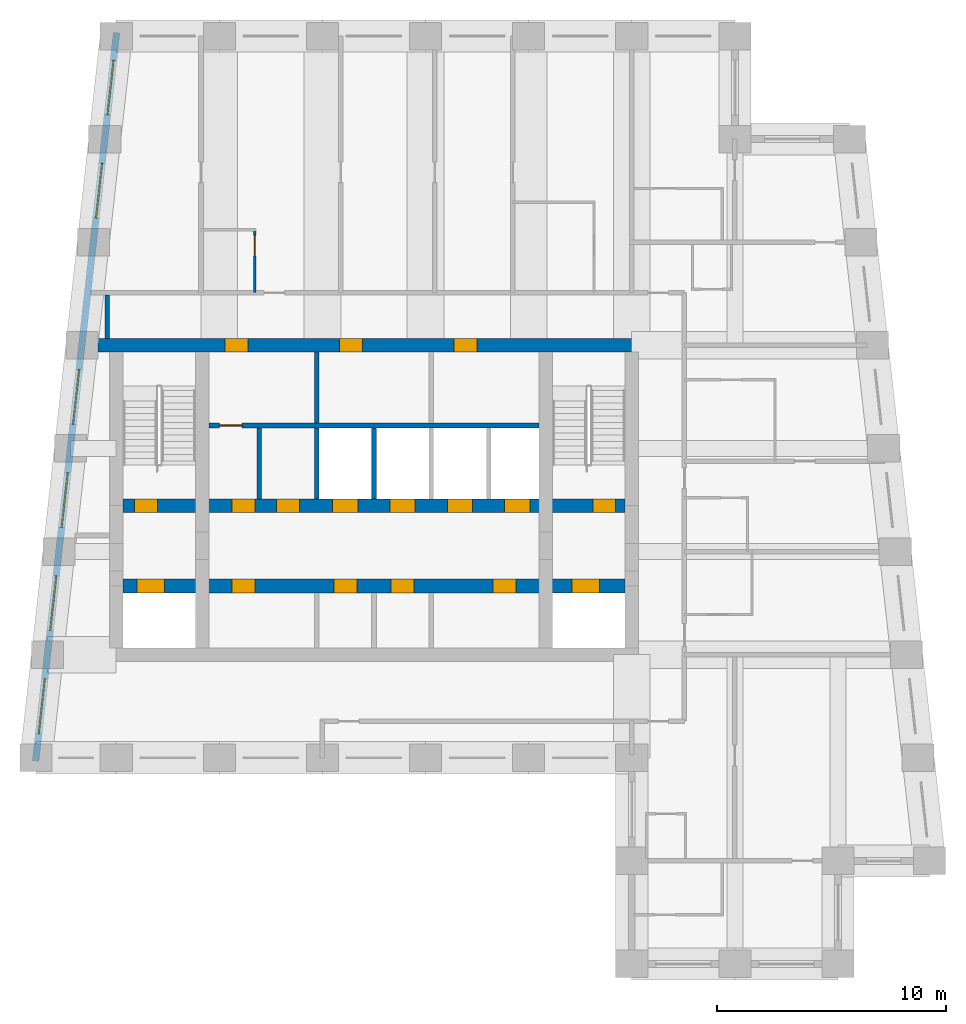
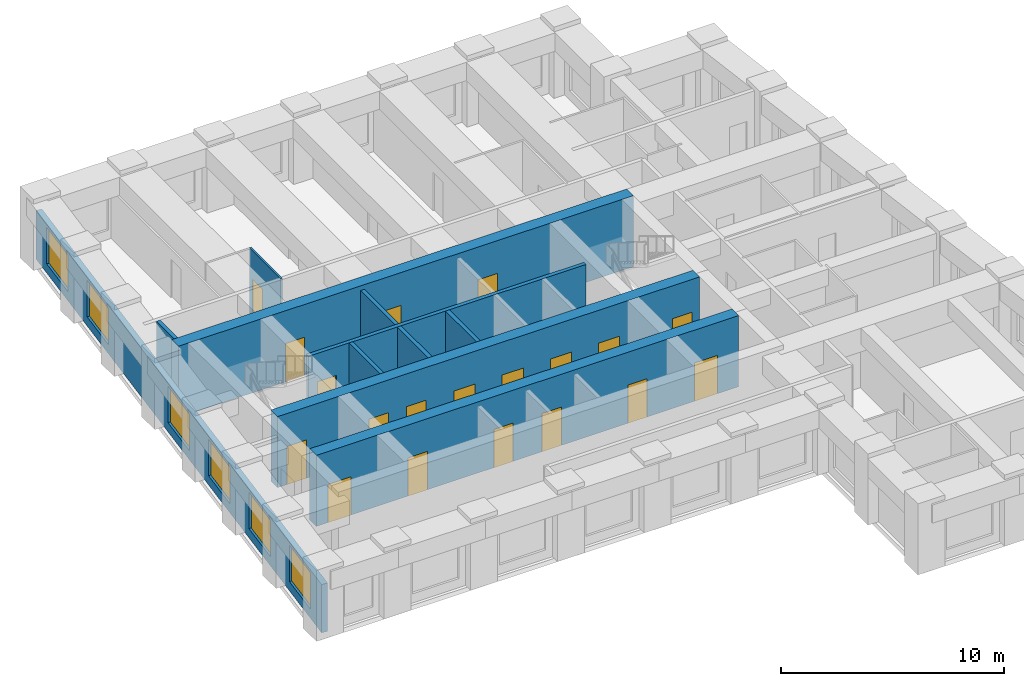
# One storey, part 3 of 7: 19 doors, 11 walls, 6 windows, 25 openings.
"""IFC4 building model written with IfcOpenShell, lengths in metres."""

from ifc_helpers import new_model, si_unit, direction, frame, frame_2d, origin, place, context, subcontext, project, spatial, rectangle, extrude, material, layer, layer_set, type_object, element, fill, save


model = new_model("IFC4")

# Units and contexts
model_context = context("Model", 3, precision=1e-05, world=origin(), true_north=direction((0.0, 1.0)))
body_context = subcontext(model_context, "Body", "Model", "MODEL_VIEW")
ifc_project = project(units=[si_unit("LENGTHUNIT", "METRE"), si_unit("AREAUNIT", "SQUARE_METRE"), si_unit("VOLUMEUNIT", "CUBIC_METRE"), si_unit("PLANEANGLEUNIT", "RADIAN"), si_unit("MASSUNIT", "GRAM", prefix="KILO")], contexts=[model_context])

# Site, building, storey
site_placement = place(None, origin())
site = spatial("IfcSite", under=ifc_project, at=site_placement, CompositionType="ELEMENT")
building_placement = place(site_placement, origin())
building = spatial("IfcBuilding", under=site, at=building_placement, Name="Kilele Tower Hotel", CompositionType="ELEMENT")
storey_placement = place(building_placement, frame((0.0, 0.0, 278.0)))
storey = spatial("IfcBuildingStorey", under=building, at=storey_placement, Name="L71", CompositionType="ELEMENT", Elevation=278.0)

# Wall, opening, door
ifc_material_1 = material(Name="Moisture-resistant board")
ifc_layer_1 = layer(ifc_material_1, 0.10009765625)
ifc_layer_set_1 = layer_set([ifc_layer_1], Name="Moisture-resistant board")
wall_type_1 = type_object("IfcWallType", Name="Bathroom partition 100", PredefinedType="PLUMBINGWALL", material=ifc_layer_set_1)
wall_1_placement = place(storey_placement, frame((19.550048828125, 29.300048828125, 0.0), z_axis=(0.0, 0.0, 1.0), x_axis=(0.0, 1.0, 0.0)))
wall_1 = element("IfcWall", 1, at=wall_1_placement, inside=storey, type_object=wall_type_1, Name="Bathroom partition 100 L71", PredefinedType="PLUMBINGWALL", context=body_context, shape_type="SweptSolid", body=[
    extrude(rectangle(XDim=2.800048828125, YDim=0.10009765625, at=frame_2d((1.39990234375, 0.0))), origin(), (0.0, 0.0, 1.0), 3.64990234375),
])
opening_1_placement = place(wall_1_placement, frame((2.5, 0.0, 0.0), z_axis=(0.0, 0.0, 1.0), x_axis=(-1.0, 0.0, 0.0)))
opening_1 = element("IfcOpeningElement", 2, at=opening_1_placement, cuts=wall_1, Name="Opening D2A", PredefinedType="OPENING", context=body_context, shape_type="SweptSolid", body=[
    extrude(rectangle(XDim=0.89990234375, YDim=2.10009765625, at=frame_2d((0.449951171875, 1.050048828125))), frame((0.0, 0.06005859375, 0.0), z_axis=(0.0, -1.0, 0.0), x_axis=(1.0, 0.0, 0.0)), (0.0, 0.0, 1.0), 0.1201171875),
])
ifc_material_2 = material(Name="Timber door leaf in hardwood frame", Category="wood")
door_type_1 = type_object("IfcDoorType", Name="Bathroom door 900", OperationType="SINGLE_SWING_LEFT", PredefinedType="DOOR", material=ifc_material_2)
door_1_placement = place(opening_1_placement, origin())
door_1 = element("IfcDoor", 3, at=door_1_placement, inside=storey, type_object=door_type_1, Name="Bathroom door 7107B", OperationType="SINGLE_SWING_RIGHT", OverallHeight=2.10009765625, OverallWidth=0.89990234375, PredefinedType="DOOR", context=body_context, shape_type="SweptSolid", body=[
    extrude(rectangle(XDim=0.89990234375, YDim=2.10009765625, at=frame_2d((0.449951171875, 1.050048828125))), frame((0.0, 0.02490234375, 0.0), z_axis=(0.0, -1.0, 0.0), x_axis=(1.0, 0.0, 0.0)), (0.0, 0.0, 1.0), 0.050048828125),
])
fill(opening_1, door_1)

# Wall, openings, doors
ifc_material_3 = material(Name="Concrete C60/75", Category="concrete")
ifc_layer_2 = layer(ifc_material_3, 0.60009765625)
ifc_layer_set_2 = layer_set([ifc_layer_2], Name="Concrete C60/75")
wall_type_2 = type_object("IfcWallType", Name="Core wall 600 C60/75", PredefinedType="SHEAR", material=ifc_layer_set_2)
wall_2_placement = place(storey_placement, frame((36.300048828125, 27.0, 0.0), z_axis=(0.0, 0.0, 1.0), x_axis=(-1.0, 0.0, 0.0)))
wall_2 = element("IfcWall", 4, at=wall_2_placement, inside=storey, type_object=wall_type_2, Name="Core wall N L71", PredefinedType="SHEAR", context=body_context, shape_type="SweptSolid", body=[
    extrude(rectangle(XDim=23.60009765625, YDim=0.60009765625, at=frame_2d((11.800048828125, 0.0))), origin(), (0.0, 0.0, 1.0), 3.89990234375),
])
opening_2_placement = place(wall_2_placement, frame((17.050048828125, 0.0, 0.0)))
opening_2 = element("IfcOpeningElement", 5, at=opening_2_placement, cuts=wall_2, Name="Opening D12", PredefinedType="OPENING", context=body_context, shape_type="SweptSolid", body=[
    extrude(rectangle(XDim=1.0, YDim=2.10009765625, at=frame_2d((0.5, 1.050048828125))), frame((0.0, 0.31005859375, 0.0), z_axis=(0.0, -1.0, 0.0), x_axis=(1.0, 0.0, 0.0)), (0.0, 0.0, 1.0), 0.6201171875),
])
opening_3_placement = place(wall_2_placement, frame((12.050048828125, 0.0, 0.0)))
opening_3 = element("IfcOpeningElement", 6, at=opening_3_placement, cuts=wall_2, Name="Opening D6", PredefinedType="OPENING", context=body_context, shape_type="SweptSolid", body=[
    extrude(rectangle(XDim=1.0, YDim=2.10009765625, at=frame_2d((0.5, 1.050048828125))), frame((0.0, 0.31005859375, 0.0), z_axis=(0.0, -1.0, 0.0), x_axis=(1.0, 0.0, 0.0)), (0.0, 0.0, 1.0), 0.6201171875),
])
opening_4_placement = place(wall_2_placement, frame((7.050048828125, 0.0, 0.0)))
opening_4 = element("IfcOpeningElement", 7, at=opening_4_placement, cuts=wall_2, Name="Opening D6", PredefinedType="OPENING", context=body_context, shape_type="SweptSolid", body=[
    extrude(rectangle(XDim=1.0, YDim=2.10009765625, at=frame_2d((0.5, 1.050048828125))), frame((0.0, 0.31005859375, 0.0), z_axis=(0.0, -1.0, 0.0), x_axis=(1.0, 0.0, 0.0)), (0.0, 0.0, 1.0), 0.6201171875),
])
ifc_material_4 = material(Name="Timber door leaf in hardwood frame", Category="wood")
door_type_2 = type_object("IfcDoorType", Name="Core lobby door 1000", OperationType="SINGLE_SWING_LEFT", PredefinedType="DOOR", material=ifc_material_4)
door_2_placement = place(opening_2_placement, origin())
door_2 = element("IfcDoor", 8, at=door_2_placement, inside=storey, type_object=door_type_2, Name="North lobby door L71", OperationType="SINGLE_SWING_RIGHT", OverallHeight=2.10009765625, OverallWidth=1.0, PredefinedType="DOOR", context=body_context, shape_type="SweptSolid", body=[
    extrude(rectangle(XDim=1.0, YDim=2.10009765625, at=frame_2d((0.5, 1.050048828125))), frame((0.0, 0.2998046875, 0.0), z_axis=(0.0, -1.0, 0.0), x_axis=(1.0, 0.0, 0.0)), (0.0, 0.0, 1.0), 0.599609375),
])
fill(opening_2, door_2)
ifc_material_5 = material(Name="Timber door leaf in hardwood frame", Category="wood")
door_type_3 = type_object("IfcDoorType", Name="Riser door 1000", OperationType="SINGLE_SWING_LEFT", PredefinedType="DOOR", material=ifc_material_5)
door_3_placement = place(opening_3_placement, origin())
door_3 = element("IfcDoor", 9, at=door_3_placement, inside=storey, type_object=door_type_3, Name="Linen store door L71", OperationType="SINGLE_SWING_RIGHT", OverallHeight=2.10009765625, OverallWidth=1.0, PredefinedType="DOOR", context=body_context, shape_type="SweptSolid", body=[
    extrude(rectangle(XDim=1.0, YDim=2.10009765625, at=frame_2d((0.5, 1.050048828125))), frame((0.0, 0.2998046875, 0.0), z_axis=(0.0, -1.0, 0.0), x_axis=(1.0, 0.0, 0.0)), (0.0, 0.0, 1.0), 0.599609375),
])
fill(opening_3, door_3)
door_4_placement = place(opening_4_placement, origin())
door_4 = element("IfcDoor", 10, at=door_4_placement, inside=storey, type_object=door_type_3, Name="Electrical riser door L71", OperationType="SINGLE_SWING_RIGHT", OverallHeight=2.10009765625, OverallWidth=1.0, PredefinedType="DOOR", context=body_context, shape_type="SweptSolid", body=[
    extrude(rectangle(XDim=1.0, YDim=2.10009765625, at=frame_2d((0.5, 1.050048828125))), frame((0.0, 0.2998046875, 0.0), z_axis=(0.0, -1.0, 0.0), x_axis=(1.0, 0.0, 0.0)), (0.0, 0.0, 1.0), 0.599609375),
])
fill(opening_4, door_4)

wall_3_placement = place(storey_placement, frame((13.800048828125, 16.5, 0.0), z_axis=(0.0, 0.0, 1.0), x_axis=(1.0, 0.0, 0.0)))
wall_3 = element("IfcWall", 11, at=wall_3_placement, inside=storey, type_object=wall_type_2, Name="Core wall LS L71", PredefinedType="SHEAR", context=body_context, shape_type="SweptSolid", body=[
    extrude(rectangle(XDim=21.89990234375, YDim=0.60009765625, at=frame_2d((10.949951171875, 0.0))), origin(), (0.0, 0.0, 1.0), 3.89990234375),
])
opening_5_placement = place(wall_3_placement, frame((5.75, 0.0, 0.0), z_axis=(0.0, 0.0, 1.0), x_axis=(-1.0, 0.0, 0.0)))
opening_5 = element("IfcOpeningElement", 12, at=opening_5_placement, cuts=wall_3, Name="Opening D11", PredefinedType="OPENING", context=body_context, shape_type="SweptSolid", body=[
    extrude(rectangle(XDim=1.0, YDim=2.10009765625, at=frame_2d((0.5, 1.050048828125))), frame((0.0, 0.31005859375, 0.0), z_axis=(0.0, -1.0, 0.0), x_axis=(1.0, 0.0, 0.0)), (0.0, 0.0, 1.0), 0.6201171875),
])
opening_6_placement = place(wall_3_placement, frame((10.199951171875, 0.0, 0.0), z_axis=(0.0, 0.0, 1.0), x_axis=(-1.0, 0.0, 0.0)))
opening_6 = element("IfcOpeningElement", 13, at=opening_6_placement, cuts=wall_3, Name="Opening D11", PredefinedType="OPENING", context=body_context, shape_type="SweptSolid", body=[
    extrude(rectangle(XDim=1.0, YDim=2.10009765625, at=frame_2d((0.5, 1.050048828125))), frame((0.0, 0.31005859375, 0.0), z_axis=(0.0, -1.0, 0.0), x_axis=(1.0, 0.0, 0.0)), (0.0, 0.0, 1.0), 0.6201171875),
])
opening_7_placement = place(wall_3_placement, frame((12.699951171875, 0.0, 0.0), z_axis=(0.0, 0.0, 1.0), x_axis=(-1.0, 0.0, 0.0)))
opening_7 = element("IfcOpeningElement", 14, at=opening_7_placement, cuts=wall_3, Name="Opening D11", PredefinedType="OPENING", context=body_context, shape_type="SweptSolid", body=[
    extrude(rectangle(XDim=1.0, YDim=2.10009765625, at=frame_2d((0.5, 1.050048828125))), frame((0.0, 0.31005859375, 0.0), z_axis=(0.0, -1.0, 0.0), x_axis=(1.0, 0.0, 0.0)), (0.0, 0.0, 1.0), 0.6201171875),
])
opening_8_placement = place(wall_3_placement, frame((17.14990234375, 0.0, 0.0), z_axis=(0.0, 0.0, 1.0), x_axis=(-1.0, 0.0, 0.0)))
opening_8 = element("IfcOpeningElement", 15, at=opening_8_placement, cuts=wall_3, Name="Opening D11", PredefinedType="OPENING", context=body_context, shape_type="SweptSolid", body=[
    extrude(rectangle(XDim=1.0, YDim=2.10009765625, at=frame_2d((0.5, 1.050048828125))), frame((0.0, 0.31005859375, 0.0), z_axis=(0.0, -1.0, 0.0), x_axis=(1.0, 0.0, 0.0)), (0.0, 0.0, 1.0), 0.6201171875),
])
opening_9_placement = place(wall_3_placement, frame((0.60009765625, 0.0, 0.0)))
opening_9 = element("IfcOpeningElement", 16, at=opening_9_placement, cuts=wall_3, Name="Opening LD2", PredefinedType="OPENING", context=body_context, shape_type="SweptSolid", body=[
    extrude(rectangle(XDim=1.199951171875, YDim=2.10009765625, at=frame_2d((0.60009765625, 1.050048828125))), frame((0.0, 0.31005859375, 0.0), z_axis=(0.0, -1.0, 0.0), x_axis=(1.0, 0.0, 0.0)), (0.0, 0.0, 1.0), 0.6201171875),
])
opening_10_placement = place(wall_3_placement, frame((19.60009765625, 0.0, 0.0)))
opening_10 = element("IfcOpeningElement", 17, at=opening_10_placement, cuts=wall_3, Name="Opening LD2", PredefinedType="OPENING", context=body_context, shape_type="SweptSolid", body=[
    extrude(rectangle(XDim=1.199951171875, YDim=2.10009765625, at=frame_2d((0.60009765625, 1.050048828125))), frame((0.0, 0.31005859375, 0.0), z_axis=(0.0, -1.0, 0.0), x_axis=(1.0, 0.0, 0.0)), (0.0, 0.0, 1.0), 0.6201171875),
])
ifc_material_6 = material(Name="Timber door leaf in hardwood frame", Category="wood")
door_type_4 = type_object("IfcDoorType", Name="Core store door 1000", OperationType="SINGLE_SWING_LEFT", PredefinedType="DOOR", material=ifc_material_6)
door_5_placement = place(opening_5_placement, origin())
door_5 = element("IfcDoor", 18, at=door_5_placement, inside=storey, type_object=door_type_4, Name="Core room door L1 L71", OperationType="SINGLE_SWING_RIGHT", OverallHeight=2.10009765625, OverallWidth=1.0, PredefinedType="DOOR", context=body_context, shape_type="SweptSolid", body=[
    extrude(rectangle(XDim=1.0, YDim=2.10009765625, at=frame_2d((0.5, 1.050048828125))), frame((0.0, 0.2998046875, 0.0), z_axis=(0.0, -1.0, 0.0), x_axis=(1.0, 0.0, 0.0)), (0.0, 0.0, 1.0), 0.599609375),
])
fill(opening_5, door_5)
door_6_placement = place(opening_6_placement, origin())
door_6 = element("IfcDoor", 19, at=door_6_placement, inside=storey, type_object=door_type_4, Name="Core room door L3 L71", OperationType="SINGLE_SWING_RIGHT", OverallHeight=2.10009765625, OverallWidth=1.0, PredefinedType="DOOR", context=body_context, shape_type="SweptSolid", body=[
    extrude(rectangle(XDim=1.0, YDim=2.10009765625, at=frame_2d((0.5, 1.050048828125))), frame((0.0, 0.2998046875, 0.0), z_axis=(0.0, -1.0, 0.0), x_axis=(1.0, 0.0, 0.0)), (0.0, 0.0, 1.0), 0.599609375),
])
fill(opening_6, door_6)
door_7_placement = place(opening_7_placement, origin())
door_7 = element("IfcDoor", 20, at=door_7_placement, inside=storey, type_object=door_type_4, Name="Core room door M1 L71", OperationType="SINGLE_SWING_LEFT", OverallHeight=2.10009765625, OverallWidth=1.0, PredefinedType="DOOR", context=body_context, shape_type="SweptSolid", body=[
    extrude(rectangle(XDim=1.0, YDim=2.10009765625, at=frame_2d((0.5, 1.050048828125))), frame((0.0, 0.2998046875, 0.0), z_axis=(0.0, -1.0, 0.0), x_axis=(1.0, 0.0, 0.0)), (0.0, 0.0, 1.0), 0.599609375),
])
fill(opening_7, door_7)
door_8_placement = place(opening_8_placement, origin())
door_8 = element("IfcDoor", 21, at=door_8_placement, inside=storey, type_object=door_type_4, Name="Core room door M3 L71", OperationType="SINGLE_SWING_LEFT", OverallHeight=2.10009765625, OverallWidth=1.0, PredefinedType="DOOR", context=body_context, shape_type="SweptSolid", body=[
    extrude(rectangle(XDim=1.0, YDim=2.10009765625, at=frame_2d((0.5, 1.050048828125))), frame((0.0, 0.2998046875, 0.0), z_axis=(0.0, -1.0, 0.0), x_axis=(1.0, 0.0, 0.0)), (0.0, 0.0, 1.0), 0.599609375),
])
fill(opening_8, door_8)
ifc_material_7 = material(Name="Steel lift landing door", Category="steel")
door_type_5 = type_object("IfcDoorType", Name="Firefighting lift landing door 1200", OperationType="SLIDING_TO_LEFT", PredefinedType="DOOR", material=ifc_material_7)
door_9_placement = place(opening_9_placement, origin())
door_9 = element("IfcDoor", 22, at=door_9_placement, inside=storey, type_object=door_type_5, Name="Landing door FFW L71", OperationType="SLIDING_TO_LEFT", OverallHeight=2.10009765625, OverallWidth=1.199951171875, PredefinedType="DOOR", context=body_context, shape_type="SweptSolid", body=[
    extrude(rectangle(XDim=1.199951171875, YDim=2.10009765625, at=frame_2d((0.60009765625, 1.050048828125))), frame((0.0, 0.2998046875, 0.0), z_axis=(0.0, -1.0, 0.0), x_axis=(1.0, 0.0, 0.0)), (0.0, 0.0, 1.0), 0.599609375),
])
fill(opening_9, door_9)
door_10_placement = place(opening_10_placement, origin())
door_10 = element("IfcDoor", 23, at=door_10_placement, inside=storey, type_object=door_type_5, Name="Landing door FFE L71", OperationType="SLIDING_TO_LEFT", OverallHeight=2.10009765625, OverallWidth=1.199951171875, PredefinedType="DOOR", context=body_context, shape_type="SweptSolid", body=[
    extrude(rectangle(XDim=1.199951171875, YDim=2.10009765625, at=frame_2d((0.60009765625, 1.050048828125))), frame((0.0, 0.2998046875, 0.0), z_axis=(0.0, -1.0, 0.0), x_axis=(1.0, 0.0, 0.0)), (0.0, 0.0, 1.0), 0.599609375),
])
fill(opening_10, door_10)

wall_4_placement = place(storey_placement, frame((13.800048828125, 20.0, 0.0), z_axis=(0.0, 0.0, 1.0), x_axis=(1.0, 0.0, 0.0)))
wall_4 = element("IfcWall", 24, at=wall_4_placement, inside=storey, type_object=wall_type_2, Name="Core wall LN L71", PredefinedType="SHEAR", context=body_context, shape_type="SweptSolid", body=[
    extrude(rectangle(XDim=21.89990234375, YDim=0.60009765625, at=frame_2d((10.949951171875, 0.0))), origin(), (0.0, 0.0, 1.0), 3.89990234375),
])
opening_11_placement = place(wall_4_placement, frame((0.5, 0.0, 0.0)))
opening_11 = element("IfcOpeningElement", 25, at=opening_11_placement, cuts=wall_4, Name="Opening D5", PredefinedType="OPENING", context=body_context, shape_type="SweptSolid", body=[
    extrude(rectangle(XDim=1.0, YDim=2.10009765625, at=frame_2d((0.5, 1.050048828125))), frame((0.0, 0.31005859375, 0.0), z_axis=(0.0, -1.0, 0.0), x_axis=(1.0, 0.0, 0.0)), (0.0, 0.0, 1.0), 0.6201171875),
])
opening_12_placement = place(wall_4_placement, frame((20.5, 0.0, 0.0)))
opening_12 = element("IfcOpeningElement", 26, at=opening_12_placement, cuts=wall_4, Name="Opening D5", PredefinedType="OPENING", context=body_context, shape_type="SweptSolid", body=[
    extrude(rectangle(XDim=1.0, YDim=2.10009765625, at=frame_2d((0.5, 1.050048828125))), frame((0.0, 0.31005859375, 0.0), z_axis=(0.0, -1.0, 0.0), x_axis=(1.0, 0.0, 0.0)), (0.0, 0.0, 1.0), 0.6201171875),
])
opening_13_placement = place(wall_4_placement, frame((9.14990234375, 0.0, 0.0)))
opening_13 = element("IfcOpeningElement", 27, at=opening_13_placement, cuts=wall_4, Name="Opening LD1", PredefinedType="OPENING", context=body_context, shape_type="SweptSolid", body=[
    extrude(rectangle(XDim=1.10009765625, YDim=2.10009765625, at=frame_2d((0.550048828125, 1.050048828125))), frame((0.0, 0.31005859375, 0.0), z_axis=(0.0, -1.0, 0.0), x_axis=(1.0, 0.0, 0.0)), (0.0, 0.0, 1.0), 0.6201171875),
])
opening_14_placement = place(wall_4_placement, frame((11.64990234375, 0.0, 0.0)))
opening_14 = element("IfcOpeningElement", 28, at=opening_14_placement, cuts=wall_4, Name="Opening LD1", PredefinedType="OPENING", context=body_context, shape_type="SweptSolid", body=[
    extrude(rectangle(XDim=1.10009765625, YDim=2.10009765625, at=frame_2d((0.550048828125, 1.050048828125))), frame((0.0, 0.31005859375, 0.0), z_axis=(0.0, -1.0, 0.0), x_axis=(1.0, 0.0, 0.0)), (0.0, 0.0, 1.0), 0.6201171875),
])
opening_15_placement = place(wall_4_placement, frame((14.14990234375, 0.0, 0.0)))
opening_15 = element("IfcOpeningElement", 29, at=opening_15_placement, cuts=wall_4, Name="Opening LD1", PredefinedType="OPENING", context=body_context, shape_type="SweptSolid", body=[
    extrude(rectangle(XDim=1.10009765625, YDim=2.10009765625, at=frame_2d((0.550048828125, 1.050048828125))), frame((0.0, 0.31005859375, 0.0), z_axis=(0.0, -1.0, 0.0), x_axis=(1.0, 0.0, 0.0)), (0.0, 0.0, 1.0), 0.6201171875),
])
opening_16_placement = place(wall_4_placement, frame((16.64990234375, 0.0, 0.0)))
opening_16 = element("IfcOpeningElement", 30, at=opening_16_placement, cuts=wall_4, Name="Opening LD1", PredefinedType="OPENING", context=body_context, shape_type="SweptSolid", body=[
    extrude(rectangle(XDim=1.10009765625, YDim=2.10009765625, at=frame_2d((0.550048828125, 1.050048828125))), frame((0.0, 0.31005859375, 0.0), z_axis=(0.0, -1.0, 0.0), x_axis=(1.0, 0.0, 0.0)), (0.0, 0.0, 1.0), 0.6201171875),
])
opening_17_placement = place(wall_4_placement, frame((5.75, 0.0, 0.0), z_axis=(0.0, 0.0, 1.0), x_axis=(-1.0, 0.0, 0.0)))
opening_17 = element("IfcOpeningElement", 31, at=opening_17_placement, cuts=wall_4, Name="Opening D12", PredefinedType="OPENING", context=body_context, shape_type="SweptSolid", body=[
    extrude(rectangle(XDim=1.0, YDim=2.10009765625, at=frame_2d((0.5, 1.050048828125))), frame((0.0, 0.31005859375, 0.0), z_axis=(0.0, -1.0, 0.0), x_axis=(1.0, 0.0, 0.0)), (0.0, 0.0, 1.0), 0.6201171875),
])
opening_18_placement = place(wall_4_placement, frame((6.699951171875, 0.0, 0.0)))
opening_18 = element("IfcOpeningElement", 32, at=opening_18_placement, cuts=wall_4, Name="Opening D11", PredefinedType="OPENING", context=body_context, shape_type="SweptSolid", body=[
    extrude(rectangle(XDim=1.0, YDim=2.10009765625, at=frame_2d((0.5, 1.050048828125))), frame((0.0, 0.31005859375, 0.0), z_axis=(0.0, -1.0, 0.0), x_axis=(1.0, 0.0, 0.0)), (0.0, 0.0, 1.0), 0.6201171875),
])
door_11_placement = place(opening_17_placement, origin())
door_11 = element("IfcDoor", 33, at=door_11_placement, inside=storey, type_object=door_type_2, Name="Core passage door L71", OperationType="SINGLE_SWING_RIGHT", OverallHeight=2.10009765625, OverallWidth=1.0, PredefinedType="DOOR", context=body_context, shape_type="SweptSolid", body=[
    extrude(rectangle(XDim=1.0, YDim=2.10009765625, at=frame_2d((0.5, 1.050048828125))), frame((0.0, 0.2998046875, 0.0), z_axis=(0.0, -1.0, 0.0), x_axis=(1.0, 0.0, 0.0)), (0.0, 0.0, 1.0), 0.599609375),
])
fill(opening_17, door_11)
door_12_placement = place(opening_18_placement, origin())
door_12 = element("IfcDoor", 34, at=door_12_placement, inside=storey, type_object=door_type_4, Name="Core room door S2 L71", OperationType="SINGLE_SWING_LEFT", OverallHeight=2.10009765625, OverallWidth=1.0, PredefinedType="DOOR", context=body_context, shape_type="SweptSolid", body=[
    extrude(rectangle(XDim=1.0, YDim=2.10009765625, at=frame_2d((0.5, 1.050048828125))), frame((0.0, 0.2998046875, 0.0), z_axis=(0.0, -1.0, 0.0), x_axis=(1.0, 0.0, 0.0)), (0.0, 0.0, 1.0), 0.599609375),
])
fill(opening_18, door_12)
ifc_material_8 = material(Name="Steel lift landing door", Category="steel")
door_type_6 = type_object("IfcDoorType", Name="Lift landing door 1100", OperationType="SLIDING_TO_LEFT", PredefinedType="DOOR", material=ifc_material_8)
door_13_placement = place(opening_13_placement, origin())
door_13 = element("IfcDoor", 35, at=door_13_placement, inside=storey, type_object=door_type_6, Name="Landing door H1 L71", OperationType="SLIDING_TO_LEFT", OverallHeight=2.10009765625, OverallWidth=1.10009765625, PredefinedType="DOOR", context=body_context, shape_type="SweptSolid", body=[
    extrude(rectangle(XDim=1.10009765625, YDim=2.10009765625, at=frame_2d((0.550048828125, 1.050048828125))), frame((0.0, 0.2998046875, 0.0), z_axis=(0.0, -1.0, 0.0), x_axis=(1.0, 0.0, 0.0)), (0.0, 0.0, 1.0), 0.599609375),
])
fill(opening_13, door_13)
door_14_placement = place(opening_14_placement, origin())
door_14 = element("IfcDoor", 36, at=door_14_placement, inside=storey, type_object=door_type_6, Name="Landing door H2 L71", OperationType="SLIDING_TO_LEFT", OverallHeight=2.10009765625, OverallWidth=1.10009765625, PredefinedType="DOOR", context=body_context, shape_type="SweptSolid", body=[
    extrude(rectangle(XDim=1.10009765625, YDim=2.10009765625, at=frame_2d((0.550048828125, 1.050048828125))), frame((0.0, 0.2998046875, 0.0), z_axis=(0.0, -1.0, 0.0), x_axis=(1.0, 0.0, 0.0)), (0.0, 0.0, 1.0), 0.599609375),
])
fill(opening_14, door_14)
door_15_placement = place(opening_15_placement, origin())
door_15 = element("IfcDoor", 37, at=door_15_placement, inside=storey, type_object=door_type_6, Name="Landing door H3 L71", OperationType="SLIDING_TO_LEFT", OverallHeight=2.10009765625, OverallWidth=1.10009765625, PredefinedType="DOOR", context=body_context, shape_type="SweptSolid", body=[
    extrude(rectangle(XDim=1.10009765625, YDim=2.10009765625, at=frame_2d((0.550048828125, 1.050048828125))), frame((0.0, 0.2998046875, 0.0), z_axis=(0.0, -1.0, 0.0), x_axis=(1.0, 0.0, 0.0)), (0.0, 0.0, 1.0), 0.599609375),
])
fill(opening_15, door_15)
door_16_placement = place(opening_16_placement, origin())
door_16 = element("IfcDoor", 38, at=door_16_placement, inside=storey, type_object=door_type_6, Name="Landing door G1 L71", OperationType="SLIDING_TO_LEFT", OverallHeight=2.10009765625, OverallWidth=1.10009765625, PredefinedType="DOOR", context=body_context, shape_type="SweptSolid", body=[
    extrude(rectangle(XDim=1.10009765625, YDim=2.10009765625, at=frame_2d((0.550048828125, 1.050048828125))), frame((0.0, 0.2998046875, 0.0), z_axis=(0.0, -1.0, 0.0), x_axis=(1.0, 0.0, 0.0)), (0.0, 0.0, 1.0), 0.599609375),
])
fill(opening_16, door_16)
ifc_material_9 = material(Name="Timber door leaf in hardwood frame", Category="wood")
door_type_7 = type_object("IfcDoorType", Name="Stair door 1000", OperationType="SINGLE_SWING_LEFT", PredefinedType="DOOR", material=ifc_material_9)
door_17_placement = place(opening_11_placement, origin())
door_17 = element("IfcDoor", 39, at=door_17_placement, inside=storey, type_object=door_type_7, Name="Stair 1 door L71", OperationType="SINGLE_SWING_LEFT", OverallHeight=2.10009765625, OverallWidth=1.0, PredefinedType="DOOR", context=body_context, shape_type="SweptSolid", body=[
    extrude(rectangle(XDim=1.0, YDim=2.10009765625, at=frame_2d((0.5, 1.050048828125))), frame((0.0, 0.2998046875, 0.0), z_axis=(0.0, -1.0, 0.0), x_axis=(1.0, 0.0, 0.0)), (0.0, 0.0, 1.0), 0.599609375),
])
fill(opening_11, door_17)
door_18_placement = place(opening_12_placement, origin())
door_18 = element("IfcDoor", 40, at=door_18_placement, inside=storey, type_object=door_type_7, Name="Stair 2 door L71", OperationType="SINGLE_SWING_RIGHT", OverallHeight=2.10009765625, OverallWidth=1.0, PredefinedType="DOOR", context=body_context, shape_type="SweptSolid", body=[
    extrude(rectangle(XDim=1.0, YDim=2.10009765625, at=frame_2d((0.5, 1.050048828125))), frame((0.0, 0.2998046875, 0.0), z_axis=(0.0, -1.0, 0.0), x_axis=(1.0, 0.0, 0.0)), (0.0, 0.0, 1.0), 0.599609375),
])
fill(opening_12, door_18)

# Wall
ifc_material_10 = material(Name="Blockwork, plastered both sides", Category="masonry")
ifc_layer_3 = layer(ifc_material_10, 0.199951171875)
ifc_layer_set_3 = layer_set([ifc_layer_3], Name="Blockwork, plastered both sides")
wall_type_3 = type_object("IfcWallType", Name="Partition wall 200", PredefinedType="PARTITIONING", material=ifc_layer_set_3)
wall_5_placement = place(storey_placement, frame((13.10009765625, 27.300048828125, 0.0), z_axis=(0.0, 0.0, 1.0), x_axis=(0.0, 1.0, 0.0)))
element("IfcWall", 41, at=wall_5_placement, inside=storey, type_object=wall_type_3, Name="Partition wall 200 L71", PredefinedType="PARTITIONING", context=body_context, shape_type="SweptSolid", body=[
    extrude(rectangle(XDim=1.89990234375, YDim=0.199951171875, at=frame_2d((0.949951171875, 0.0))), origin(), (0.0, 0.0, 1.0), 3.64990234375),
])

# Wall, openings, windows
ifc_material_11 = material(Name="Concrete C40/50 precast", Category="concrete")
ifc_layer_4 = layer(ifc_material_11, 0.260009765625, Name="Precast backing", Category="LoadBearing")
ifc_material_12 = material(Name="Reconstituted stone finish", Category="masonry")
ifc_layer_5 = layer(ifc_material_12, 0.0400390625, Name="Face mix", Category="Finish")
ifc_layer_set_4 = layer_set([ifc_layer_4, ifc_layer_5], Name="Precast concrete C40/50, reconstituted stone finish")
wall_type_4 = type_object("IfcWallType", Name="Precast stone facade wall 300", PredefinedType="STANDARD", material=ifc_layer_set_4)
wall_6_placement = place(storey_placement, frame((13.5166015625, 40.649169921875, 0.0), z_axis=(0.0, 0.0, 1.0), x_axis=(-0.110433201132, -0.993883548555, 0.0)))
wall_6 = element("IfcWall", 42, at=wall_6_placement, inside=storey, type_object=wall_type_4, Name="Facade wall L71 edge 10", PredefinedType="STANDARD", context=body_context, shape_type="SweptSolid", body=[
    extrude(rectangle(XDim=31.994140625, YDim=0.300048828125, at=frame_2d((15.9970703125, 0.0))), origin(), (0.0, 0.0, 1.0), 2.64990234375),
])
opening_19_placement = place(wall_6_placement, frame((1.214111328125, 0.0, 0.5)))
opening_19 = element("IfcOpeningElement", 43, at=opening_19_placement, cuts=wall_6, Name="Opening W4", PredefinedType="OPENING", context=body_context, shape_type="SweptSolid", body=[
    extrude(rectangle(XDim=2.39990234375, YDim=2.0, at=frame_2d((1.199951171875, 1.0))), frame((0.0, 0.159912109375, 0.0), z_axis=(0.0, -1.0, 0.0), x_axis=(1.0, 0.0, 0.0)), (0.0, 0.0, 1.0), 0.320068359375),
])
opening_20_placement = place(wall_6_placement, frame((5.741943359375, 0.0, 0.5)))
opening_20 = element("IfcOpeningElement", 44, at=opening_20_placement, cuts=wall_6, Name="Opening W4", PredefinedType="OPENING", context=body_context, shape_type="SweptSolid", body=[
    extrude(rectangle(XDim=2.39990234375, YDim=2.0, at=frame_2d((1.199951171875, 1.0))), frame((0.0, 0.159912109375, 0.0), z_axis=(0.0, -1.0, 0.0), x_axis=(1.0, 0.0, 0.0)), (0.0, 0.0, 1.0), 0.320068359375),
])
opening_21_placement = place(wall_6_placement, frame((14.797119140625, 0.0, 0.5)))
opening_21 = element("IfcOpeningElement", 45, at=opening_21_placement, cuts=wall_6, Name="Opening W4", PredefinedType="OPENING", context=body_context, shape_type="SweptSolid", body=[
    extrude(rectangle(XDim=2.39990234375, YDim=2.0, at=frame_2d((1.199951171875, 1.0))), frame((0.0, 0.159912109375, 0.0), z_axis=(0.0, -1.0, 0.0), x_axis=(1.0, 0.0, 0.0)), (0.0, 0.0, 1.0), 0.320068359375),
])
opening_22_placement = place(wall_6_placement, frame((19.324951171875, 0.0, 0.5)))
opening_22 = element("IfcOpeningElement", 46, at=opening_22_placement, cuts=wall_6, Name="Opening W4", PredefinedType="OPENING", context=body_context, shape_type="SweptSolid", body=[
    extrude(rectangle(XDim=2.39990234375, YDim=2.0, at=frame_2d((1.199951171875, 1.0))), frame((0.0, 0.159912109375, 0.0), z_axis=(0.0, -1.0, 0.0), x_axis=(1.0, 0.0, 0.0)), (0.0, 0.0, 1.0), 0.320068359375),
])
opening_23_placement = place(wall_6_placement, frame((23.85205078125, 0.0, 0.5)))
opening_23 = element("IfcOpeningElement", 47, at=opening_23_placement, cuts=wall_6, Name="Opening W4", PredefinedType="OPENING", context=body_context, shape_type="SweptSolid", body=[
    extrude(rectangle(XDim=2.39990234375, YDim=2.0, at=frame_2d((1.199951171875, 1.0))), frame((0.0, 0.159912109375, 0.0), z_axis=(0.0, -1.0, 0.0), x_axis=(1.0, 0.0, 0.0)), (0.0, 0.0, 1.0), 0.320068359375),
])
opening_24_placement = place(wall_6_placement, frame((28.3798828125, 0.0, 0.5)))
opening_24 = element("IfcOpeningElement", 48, at=opening_24_placement, cuts=wall_6, Name="Opening W4", PredefinedType="OPENING", context=body_context, shape_type="SweptSolid", body=[
    extrude(rectangle(XDim=2.39990234375, YDim=2.0, at=frame_2d((1.199951171875, 1.0))), frame((0.0, 0.159912109375, 0.0), z_axis=(0.0, -1.0, 0.0), x_axis=(1.0, 0.0, 0.0)), (0.0, 0.0, 1.0), 0.320068359375),
])
ifc_material_13 = material(Name="Aluminium frame, clear double glazing", Category="aluminium")
window_type = type_object("IfcWindowType", Name="Window W4 2400 x 2000", PartitioningType="SINGLE_PANEL", PredefinedType="WINDOW", material=ifc_material_13)
window_1_placement = place(opening_19_placement, origin())
window_1 = element("IfcWindow", 49, at=window_1_placement, inside=storey, type_object=window_type, Name="Window L71", OverallHeight=2.0, OverallWidth=2.39990234375, PartitioningType="SINGLE_PANEL", PredefinedType="WINDOW", context=body_context, shape_type="SweptSolid", body=[
    extrude(rectangle(XDim=2.39990234375, YDim=2.0, at=frame_2d((1.199951171875, 1.0))), frame((0.0, 0.030029296875, 0.0), z_axis=(0.0, -1.0, 0.0), x_axis=(1.0, 0.0, 0.0)), (0.0, 0.0, 1.0), 0.06005859375),
])
fill(opening_19, window_1)
window_2_placement = place(opening_20_placement, origin())
window_2 = element("IfcWindow", 50, at=window_2_placement, inside=storey, type_object=window_type, Name="Window L71", OverallHeight=2.0, OverallWidth=2.39990234375, PartitioningType="SINGLE_PANEL", PredefinedType="WINDOW", context=body_context, shape_type="SweptSolid", body=[
    extrude(rectangle(XDim=2.39990234375, YDim=2.0, at=frame_2d((1.199951171875, 1.0))), frame((0.0, 0.030029296875, 0.0), z_axis=(0.0, -1.0, 0.0), x_axis=(1.0, 0.0, 0.0)), (0.0, 0.0, 1.0), 0.06005859375),
])
fill(opening_20, window_2)
window_3_placement = place(opening_21_placement, origin())
window_3 = element("IfcWindow", 51, at=window_3_placement, inside=storey, type_object=window_type, Name="Window L71", OverallHeight=2.0, OverallWidth=2.39990234375, PartitioningType="SINGLE_PANEL", PredefinedType="WINDOW", context=body_context, shape_type="SweptSolid", body=[
    extrude(rectangle(XDim=2.39990234375, YDim=2.0, at=frame_2d((1.199951171875, 1.0))), frame((0.0, 0.030029296875, 0.0), z_axis=(0.0, -1.0, 0.0), x_axis=(1.0, 0.0, 0.0)), (0.0, 0.0, 1.0), 0.06005859375),
])
fill(opening_21, window_3)
window_4_placement = place(opening_22_placement, origin())
window_4 = element("IfcWindow", 52, at=window_4_placement, inside=storey, type_object=window_type, Name="Window L71", OverallHeight=2.0, OverallWidth=2.39990234375, PartitioningType="SINGLE_PANEL", PredefinedType="WINDOW", context=body_context, shape_type="SweptSolid", body=[
    extrude(rectangle(XDim=2.39990234375, YDim=2.0, at=frame_2d((1.199951171875, 1.0))), frame((0.0, 0.030029296875, 0.0), z_axis=(0.0, -1.0, 0.0), x_axis=(1.0, 0.0, 0.0)), (0.0, 0.0, 1.0), 0.06005859375),
])
fill(opening_22, window_4)
window_5_placement = place(opening_23_placement, origin())
window_5 = element("IfcWindow", 53, at=window_5_placement, inside=storey, type_object=window_type, Name="Window L71", OverallHeight=2.0, OverallWidth=2.39990234375, PartitioningType="SINGLE_PANEL", PredefinedType="WINDOW", context=body_context, shape_type="SweptSolid", body=[
    extrude(rectangle(XDim=2.39990234375, YDim=2.0, at=frame_2d((1.199951171875, 1.0))), frame((0.0, 0.030029296875, 0.0), z_axis=(0.0, -1.0, 0.0), x_axis=(1.0, 0.0, 0.0)), (0.0, 0.0, 1.0), 0.06005859375),
])
fill(opening_23, window_5)
window_6_placement = place(opening_24_placement, origin())
window_6 = element("IfcWindow", 54, at=window_6_placement, inside=storey, type_object=window_type, Name="Window L71", OverallHeight=2.0, OverallWidth=2.39990234375, PartitioningType="SINGLE_PANEL", PredefinedType="WINDOW", context=body_context, shape_type="SweptSolid", body=[
    extrude(rectangle(XDim=2.39990234375, YDim=2.0, at=frame_2d((1.199951171875, 1.0))), frame((0.0, 0.030029296875, 0.0), z_axis=(0.0, -1.0, 0.0), x_axis=(1.0, 0.0, 0.0)), (0.0, 0.0, 1.0), 0.06005859375),
])
fill(opening_24, window_6)

# Walls
ifc_material_14 = material(Name="Blockwork, fire-rated", Category="masonry")
ifc_layer_6 = layer(ifc_material_14, 0.199951171875)
ifc_layer_set_5 = layer_set([ifc_layer_6], Name="Blockwork, fire-rated")
wall_type_5 = type_object("IfcWallType", Name="Shaft wall 200", PredefinedType="PARTITIONING", material=ifc_layer_set_5)
for number, where, z_axis, x_axis, name in (
    (55, (19.75, 20.300048828125, 0.0), (0.0, 0.0, 1.0), (0.0, 1.0, 0.0), "Shaft wall 200 L71"),
    (56, (22.25, 20.300048828125, 0.0), (0.0, 0.0, 1.0), (0.0, 1.0, 0.0), "Shaft wall 200 L71"),
    (57, (24.75, 20.300048828125, 0.0), (0.0, 0.0, 1.0), (0.0, 1.0, 0.0), "Shaft wall 200 L71"),
):
    element("IfcWall", number, at=place(storey_placement, frame(where, z_axis=z_axis, x_axis=x_axis)), inside=storey, type_object=wall_type_5, Name=name, PredefinedType="PARTITIONING", context=body_context, shape_type="SweptSolid", body=[
        extrude(rectangle(XDim=3.099853515625, YDim=0.199951171875, at=frame_2d((1.5498046875, 0.0))), origin(), (0.0, 0.0, 1.0), 3.64990234375),
    ])

# Wall, opening, door
wall_7_placement = place(storey_placement, frame((17.550048828125, 23.5, 0.0), z_axis=(0.0, 0.0, 1.0), x_axis=(1.0, 0.0, 0.0)))
wall_7 = element("IfcWall", 58, at=wall_7_placement, inside=storey, type_object=wall_type_5, Name="Shaft wall 200 L71", PredefinedType="PARTITIONING", context=body_context, shape_type="SweptSolid", body=[
    extrude(rectangle(XDim=14.39990234375, YDim=0.199951171875, at=frame_2d((7.199951171875, 0.0))), origin(), (0.0, 0.0, 1.0), 3.64990234375),
])
opening_25_placement = place(wall_7_placement, frame((0.449951171875, 0.0, 0.0)))
opening_25 = element("IfcOpeningElement", 59, at=opening_25_placement, cuts=wall_7, Name="Opening D12", PredefinedType="OPENING", context=body_context, shape_type="SweptSolid", body=[
    extrude(rectangle(XDim=1.0, YDim=2.10009765625, at=frame_2d((0.5, 1.050048828125))), frame((0.0, 0.10986328125, 0.0), z_axis=(0.0, -1.0, 0.0), x_axis=(1.0, 0.0, 0.0)), (0.0, 0.0, 1.0), 0.219970703125),
])
door_19_placement = place(opening_25_placement, origin())
door_19 = element("IfcDoor", 60, at=door_19_placement, inside=storey, type_object=door_type_2, Name="Core passage door", OperationType="SINGLE_SWING_LEFT", OverallHeight=2.10009765625, OverallWidth=1.0, PredefinedType="DOOR", context=body_context, shape_type="SweptSolid", body=[
    extrude(rectangle(XDim=1.0, YDim=2.10009765625, at=frame_2d((0.5, 1.050048828125))), frame((0.0, 0.02490234375, 0.0), z_axis=(0.0, -1.0, 0.0), x_axis=(1.0, 0.0, 0.0)), (0.0, 0.0, 1.0), 0.050048828125),
])
fill(opening_25, door_19)

# Wall
wall_8_placement = place(storey_placement, frame((22.25, 23.60009765625, 0.0), z_axis=(0.0, 0.0, 1.0), x_axis=(0.0, 1.0, 0.0)))
element("IfcWall", 61, at=wall_8_placement, inside=storey, type_object=wall_type_5, Name="Shaft wall 200 L71", PredefinedType="PARTITIONING", context=body_context, shape_type="SweptSolid", body=[
    extrude(rectangle(XDim=3.099853515625, YDim=0.199951171875, at=frame_2d((1.5498046875, 0.0))), origin(), (0.0, 0.0, 1.0), 3.64990234375),
])

save(model, "model.ifc")
